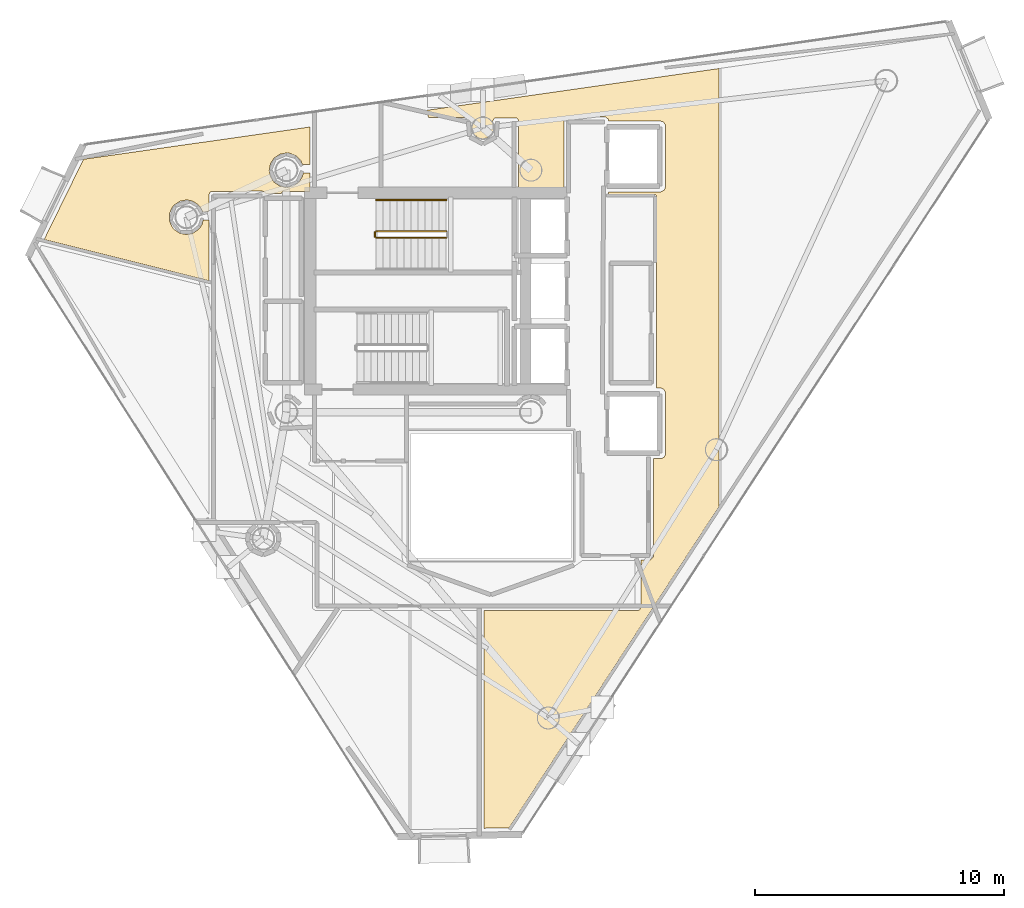
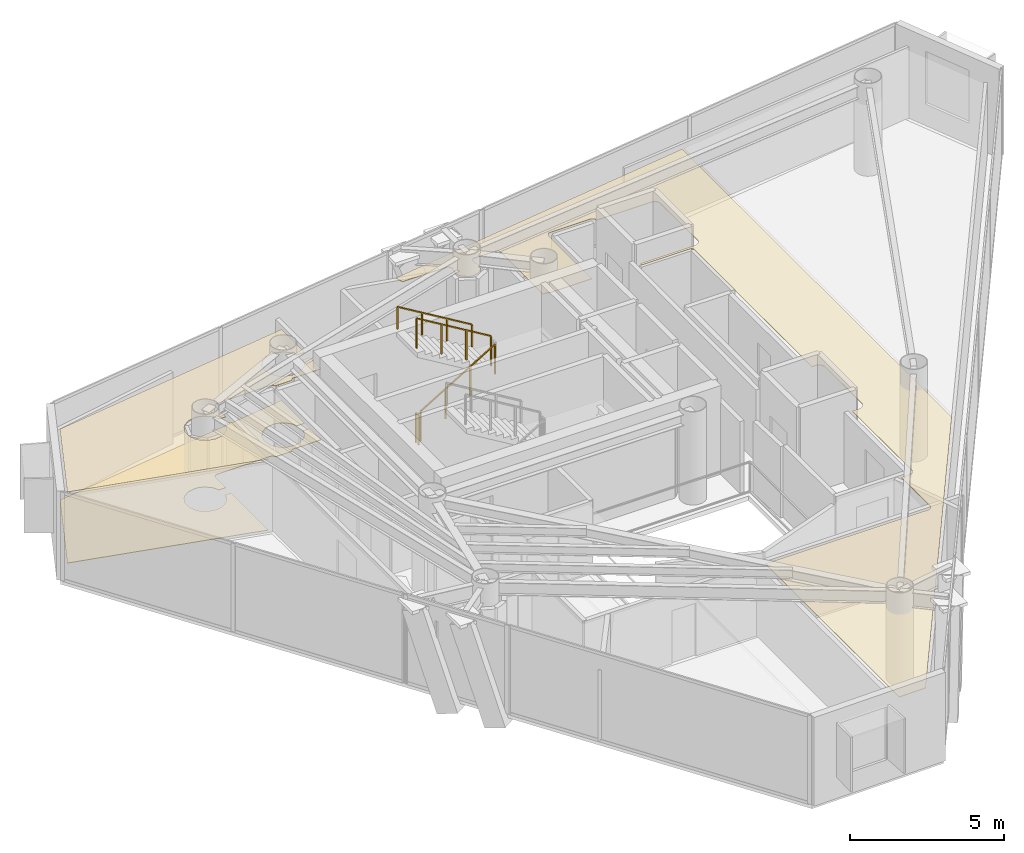
# One storey, part 24 of 25: 4 railings, 3 coverings.
"""IFC4 building model written with IfcOpenShell, lengths in metres."""

import ifcopenshell
import ifcopenshell.guid

model = None  # the IFC model being written
_history = None  # IfcOwnerHistory: only IFC2X3 demands one
_inside = {}  # id of a spatial element -> (the spatial element, [elements in it])
_under = {}  # id of a project, library or spatial element -> (it, [spatial elements below it])
_declared = {}  # id of a project -> (the project, [libraries it declares])
_typed = {}  # id of a type object -> (the type object, [elements of that type])
_made_of = {}  # id of a material, layer set ... -> (it, [elements and type objects made of it])


def new_model(schema):
    """Start an empty IFC model of exactly this schema.

    Asked for "IFC4X3", IfcOpenShell would pick the latest addendum, in which some entities
    have other attributes; the version numbers below select the first issue.
    IFC2X3 requires an IfcOwnerHistory on every rooted entity: one is made here for all.
    """
    global model, _history
    if schema == "IFC4X3":
        model = ifcopenshell.file(schema_version=(4, 3, 0, 0))
    else:
        model = ifcopenshell.file(schema=schema)
    _inside.clear()
    _under.clear()
    _declared.clear()
    _typed.clear()
    _made_of.clear()
    _history = None
    if model.schema == "IFC2X3":
        org = make("IfcOrganization", Name="unknown")
        user = make(
            "IfcPersonAndOrganization",
            ThePerson=make("IfcPerson", FamilyName="unknown"),
            TheOrganization=org,
        )
        app = make(
            "IfcApplication",
            ApplicationDeveloper=org,
            Version="unknown",
            ApplicationFullName="unknown",
            ApplicationIdentifier="unknown",
        )
        _history = make(
            "IfcOwnerHistory",
            OwningUser=user,
            OwningApplication=app,
            ChangeAction="ADDED",
            CreationDate=0,
        )
    return model


def make(cls, **values):
    """One entity of the class cls with the attributes given. An attribute that is None is left unset."""
    return model.create_entity(
        cls, **{name: value for name, value in values.items() if value is not None}
    )


def rooted(cls, **values):
    """An entity with a GlobalId (a new one), such as an element, a storey or a relation."""
    return make(cls, GlobalId=ifcopenshell.guid.new(), OwnerHistory=_history, **values)


def si_unit(unit_type, name, prefix=None):
    """IfcSIUnit, for example si_unit("LENGTHUNIT", "METRE", prefix="MILLI")."""
    return make("IfcSIUnit", UnitType=unit_type, Prefix=prefix, Name=name)


def assignment(units):
    """IfcUnitAssignment: the units of a project."""
    return None if units is None else make("IfcUnitAssignment", Units=units)


def point(xyz):
    """IfcCartesianPoint."""
    return None if xyz is None else make("IfcCartesianPoint", Coordinates=xyz)


def direction(xyz):
    """IfcDirection."""
    return None if xyz is None else make("IfcDirection", DirectionRatios=xyz)


def frame(location, z_axis=None, x_axis=None):
    """IfcAxis2Placement3D, a coordinate frame: its origin and axes. An axis left out is left unset."""
    return make(
        "IfcAxis2Placement3D",
        Location=point(location),
        Axis=direction(z_axis),
        RefDirection=direction(x_axis),
    )


def frame_2d(location, x_axis=None):
    """IfcAxis2Placement2D, a coordinate frame in the plane: its origin and x axis."""
    return make(
        "IfcAxis2Placement2D", Location=point(location), RefDirection=direction(x_axis)
    )


def origin():
    """The frame at (0, 0, 0) with its axes left unset."""
    return frame((0.0, 0.0, 0.0))


def origin_2d():
    """The frame at (0, 0) in the plane with its x axis left unset."""
    return frame_2d((0.0, 0.0))


def place(relative_to, where):
    """IfcLocalPlacement: puts the frame where relative to a parent placement (None: the world)."""
    return make(
        "IfcLocalPlacement", PlacementRelTo=relative_to, RelativePlacement=where
    )


def context(
    kind, dimensions, precision=None, world=None, true_north=None, identifier=None
):
    """IfcGeometricRepresentationContext, for example the 3D "Model" context."""
    return make(
        "IfcGeometricRepresentationContext",
        ContextIdentifier=identifier,
        ContextType=kind,
        CoordinateSpaceDimension=dimensions,
        Precision=precision,
        WorldCoordinateSystem=world,
        TrueNorth=true_north,
    )


def subcontext(parent, identifier, kind, view, scale=None):
    """IfcGeometricRepresentationSubContext, for example "Body" below "Model"."""
    return make(
        "IfcGeometricRepresentationSubContext",
        ContextIdentifier=identifier,
        ContextType=kind,
        ParentContext=parent,
        TargetScale=scale,
        TargetView=view,
    )


def project(units=None, contexts=None):
    """IfcProject with its units and contexts."""
    return rooted(
        "IfcProject",
        Name="project",
        RepresentationContexts=contexts,
        UnitsInContext=assignment(units),
    )


def spatial(cls, under=None, at=None, **own):
    """A site, building, storey or space (cls), placed at a placement, below another one or the project."""
    s = rooted(cls, ObjectPlacement=at, **own)
    if under is not None:
        _under.setdefault(under.id(), (under, []))[1].append(s)
    return s


def polyline(points):
    """IfcPolyline through the points."""
    return make("IfcPolyline", Points=[point(p) for p in points])


def profile(cls, at=None, kind="AREA", **sizes):
    """A parametric profile (cls). Its sizes go by their IFC names, for example OverallWidth=200.0."""
    return make(cls, ProfileType=kind, Position=at, **sizes)


def rectangle(**sizes):
    """IfcRectangleProfileDef."""
    return profile("IfcRectangleProfileDef", **sizes)


def outline(outer, holes=None, kind="AREA"):
    """IfcArbitraryClosedProfileDef: a profile drawn as a closed curve; with holes, ...WithVoids."""
    if holes is None:
        return make("IfcArbitraryClosedProfileDef", ProfileType=kind, OuterCurve=outer)
    return make(
        "IfcArbitraryProfileDefWithVoids",
        ProfileType=kind,
        OuterCurve=outer,
        InnerCurves=holes,
    )


def extrude(swept, where, along, depth):
    """IfcExtrudedAreaSolid: the profile swept, set in the frame where, extruded along a direction by depth."""
    return make(
        "IfcExtrudedAreaSolid",
        SweptArea=swept,
        Position=where,
        ExtrudedDirection=direction(along),
        Depth=depth,
    )


def shape(context_of_items, identifier, shape_type, items):
    """IfcShapeRepresentation: the items that make up one representation, for example the "Body"."""
    return make(
        "IfcShapeRepresentation",
        ContextOfItems=context_of_items,
        RepresentationIdentifier=identifier,
        RepresentationType=shape_type,
        Items=items,
    )


def material(Name=None, Category=None):
    """IfcMaterial."""
    return make("IfcMaterial", Name=Name, Category=Category)


def layer(
    of_material, thickness, ventilated=None, Name=None, Category=None, Priority=None
):
    """IfcMaterialLayer: one layer of a wall or slab, of a material (None: an air gap)."""
    return make(
        "IfcMaterialLayer",
        Material=of_material,
        LayerThickness=thickness,
        IsVentilated=ventilated,
        Name=Name,
        Category=Category,
        Priority=Priority,
    )


def layer_set(layers, Name=None):
    """IfcMaterialLayerSet."""
    return make("IfcMaterialLayerSet", MaterialLayers=layers, LayerSetName=Name)


def made_of(thing, what):
    """Note that an element or type object is made of a material, layer set ...; save() writes the relation."""
    if what is not None:
        _made_of.setdefault(what.id(), (what, []))[1].append(thing)
    return thing


def type_object(cls, material=None, **own):
    """A type object (cls), such as IfcWallType, which elements share."""
    return made_of(rooted(cls, **own), material)


def element(
    cls,
    number,
    at=None,
    inside=None,
    cuts=None,
    type_object=None,
    material=None,
    context=None,
    identifier="Body",
    shape_type=None,
    held_by="IfcProductDefinitionShape",
    body=None,
    shapes=None,
    **own,
):
    """One element of the class cls, such as IfcWall. Its Tag is "e" and its number.

    at: its placement. inside: the storey or other place that contains it. cuts: it is an
    opening in that element (IfcRelVoidsElement). A single representation is given by context,
    identifier, shape_type and body (its items); several are given by shapes. held_by: the class
    of the entity that holds the representations. save() writes the other relations.
    """
    e = rooted(cls, Tag="e%d" % number, ObjectPlacement=at, **own)
    if body is not None:
        shapes = [shape(context, identifier, shape_type, body)]
    if shapes is not None:
        e.Representation = make(held_by, Representations=shapes)
    if inside is not None:
        _inside.setdefault(inside.id(), (inside, []))[1].append(e)
    if cuts is not None:
        rooted(
            "IfcRelVoidsElement", RelatingBuildingElement=cuts, RelatedOpeningElement=e
        )
    if type_object is not None:
        _typed.setdefault(type_object.id(), (type_object, []))[1].append(e)
    return made_of(e, material)


def aggregate(whole, parts):
    """IfcRelAggregates: a whole, such as a stair, and the parts it consists of."""
    return rooted("IfcRelAggregates", RelatingObject=whole, RelatedObjects=parts)


def save(model, path):
    """Write the relations noted so far, then the file.

    IfcRelAggregates (storeys below a building ...), IfcRelContainedInSpatialStructure (elements
    in a storey), IfcRelDefinesByType, IfcRelAssociatesMaterial and IfcRelDeclares: one each for
    every whole, place, type object, material and project.
    """
    for whole, parts in _under.values():
        aggregate(whole, parts)
    for where, things in _inside.values():
        rooted(
            "IfcRelContainedInSpatialStructure",
            RelatedElements=things,
            RelatingStructure=where,
        )
    for kind, things in _typed.values():
        rooted("IfcRelDefinesByType", RelatedObjects=things, RelatingType=kind)
    for what, things in _made_of.values():
        rooted("IfcRelAssociatesMaterial", RelatedObjects=things, RelatingMaterial=what)
    for by, libraries in _declared.values():
        rooted("IfcRelDeclares", RelatingContext=by, RelatedDefinitions=libraries)
    model.write(path)


model = new_model("IFC4")

# Units and contexts
model_context = context("Model", 3, precision=1e-05, world=origin(), true_north=direction((0.0, 1.0)))
body_context = subcontext(model_context, "Body", "Model", "MODEL_VIEW")
ifc_project = project(units=[si_unit("LENGTHUNIT", "METRE"), si_unit("AREAUNIT", "SQUARE_METRE"), si_unit("VOLUMEUNIT", "CUBIC_METRE"), si_unit("PLANEANGLEUNIT", "RADIAN"), si_unit("MASSUNIT", "GRAM", prefix="KILO")], contexts=[model_context])

# Site, building, storey
site_placement = place(None, origin())
site = spatial("IfcSite", under=ifc_project, at=site_placement, CompositionType="ELEMENT")
building_placement = place(site_placement, origin())
building = spatial("IfcBuilding", under=site, at=building_placement, Name="Qianvela Tower", CompositionType="ELEMENT")
storey_placement = place(building_placement, frame((0.0, 0.0, 288.0)))
storey = spatial("IfcBuildingStorey", under=building, at=storey_placement, Name="L74", CompositionType="ELEMENT", Elevation=288.0)

# Coverings
ifc_material_1 = material(Name="Perforated Mineral Acoustic Ceiling Tile")
ifc_layer_1 = layer(ifc_material_1, 0.02490234375)
ifc_layer_set_1 = layer_set([ifc_layer_1], Name="Perforated Mineral Acoustic Ceiling Tile")
covering_type_1 = type_object("IfcCoveringType", Name="COV-CEIL-ACOUSTIC-25", PredefinedType="CEILING", material=ifc_layer_set_1)
covering_1_placement = place(storey_placement, frame((0.0, 0.0, 2.81494140625)))
element("IfcCovering", 1, at=covering_1_placement, inside=storey, type_object=covering_type_1, Name="L74 Acoustic Ceiling Bay 1 Campus Convenience Shop L74-03", PredefinedType="CEILING", context=body_context, shape_type="SweptSolid", body=[
    extrude(outline(polyline([(42.744384765625, 15.9228515625), (42.7509765625, 15.927001953125), (42.75732421875, 15.931640625), (42.76318359375, 15.93701171875), (42.768310546875, 15.942626953125), (42.773193359375, 15.948974609375), (42.777099609375, 15.955810546875), (42.780517578125, 15.962890625), (42.803955078125, 16.019287109375), (42.806640625, 16.02685546875), (42.80859375, 16.034423828125), (42.8095703125, 16.042236328125), (42.81005859375, 16.050048828125), (42.8076171875, 17.920166015625), (43.157958984375, 17.92041015625), (43.165771484375, 17.9208984375), (43.173583984375, 17.921875), (43.18115234375, 17.923828125), (43.1884765625, 17.926513671875), (43.195556640625, 17.9296875), (43.202392578125, 17.933837890625), (43.20849609375, 17.938720703125), (43.21435546875, 17.94384765625), (43.2861328125, 18.015625), (43.29150390625, 18.021484375), (43.296142578125, 18.027587890625), (43.30029296875, 18.034423828125), (43.303466796875, 18.04150390625), (43.30615234375, 18.048828125), (43.30810546875, 18.056640625), (43.30908203125, 18.064208984375), (43.3095703125, 18.072265625), (43.309326171875, 21.980712890625), (43.60791015625, 21.982666015625), (43.615478515625, 21.983154296875), (43.623291015625, 21.984375), (43.630859375, 21.986083984375), (43.637939453125, 21.98876953125), (43.64501953125, 21.9921875), (43.716796875, 22.030517578125), (43.723388671875, 22.034423828125), (43.729736328125, 22.039306640625), (43.735595703125, 22.04443359375), (43.74072265625, 22.05029296875), (43.74560546875, 22.056640625), (43.74951171875, 22.063232421875), (43.787841796875, 22.135009765625), (43.791259765625, 22.14208984375), (43.7939453125, 22.1494140625), (43.7958984375, 22.156982421875), (43.796875, 22.164794921875), (43.79736328125, 22.172607421875), (43.79931640625, 24.61376953125), (43.799072265625, 24.62060546875), (43.798095703125, 24.627685546875), (43.79638671875, 24.634765625), (43.79443359375, 24.641357421875), (43.79150390625, 24.64794921875), (43.751220703125, 24.733154296875), (43.74755859375, 24.739990234375), (43.743408203125, 24.74658203125), (43.73828125, 24.752685546875), (43.732666015625, 24.75830078125), (43.726806640625, 24.76318359375), (43.72021484375, 24.767578125), (43.713134765625, 24.771240234375), (43.6279296875, 24.8115234375), (43.619873046875, 24.81494140625), (43.611328125, 24.8173828125), (43.6025390625, 24.81884765625), (43.59375, 24.8193359375), (43.423828125, 24.8193359375), (43.423828125, 24.8193359375), (43.426513671875, 24.826904296875), (43.428466796875, 24.83447265625), (43.4296875, 24.84228515625), (43.429931640625, 24.85009765625), (43.429931640625, 32.5), (43.4296875, 32.5078125), (43.428466796875, 32.515625), (43.426513671875, 32.523193359375), (43.423828125, 32.530517578125), (43.420654296875, 32.53759765625), (43.41650390625, 32.54443359375), (43.411865234375, 32.55078125), (43.406494140625, 32.556640625), (43.40087890625, 32.561767578125), (43.394287109375, 32.56640625), (43.3876953125, 32.570556640625), (43.380615234375, 32.573974609375), (43.373291015625, 32.57666015625), (43.365478515625, 32.57861328125), (43.35791015625, 32.57958984375), (43.35009765625, 32.580078125), (41.52001953125, 32.580078125), (41.52001953125, 32.679931640625), (43.580078125, 32.679931640625), (43.587158203125, 32.680419921875), (43.593994140625, 32.68115234375), (43.60107421875, 32.682861328125), (43.607666015625, 32.684814453125), (43.6142578125, 32.687744140625), (43.722412109375, 32.739013671875), (43.729248046875, 32.74267578125), (43.73583984375, 32.746826171875), (43.741943359375, 32.751953125), (43.74755859375, 32.757568359375), (43.75244140625, 32.763427734375), (43.7568359375, 32.77001953125), (43.760498046875, 32.777099609375), (43.763427734375, 32.7841796875), (43.79541015625, 32.873046875), (43.79736328125, 32.879638671875), (43.798828125, 32.886474609375), (43.7998046875, 32.893310546875), (43.800048828125, 32.900390625), (43.789306640625, 35.35400390625), (43.788818359375, 35.36181640625), (43.787841796875, 35.369384765625), (43.785888671875, 35.376953125), (43.783203125, 35.38427734375), (43.77978515625, 35.391357421875), (43.77587890625, 35.398193359375), (43.771240234375, 35.404296875), (43.719482421875, 35.46728515625), (43.71435546875, 35.472900390625), (43.70849609375, 35.478271484375), (43.7021484375, 35.48291015625), (43.695556640625, 35.487060546875), (43.6884765625, 35.490234375), (43.680908203125, 35.492919921875), (43.603271484375, 35.5166015625), (43.595703125, 35.5185546875), (43.587890625, 35.51953125), (43.580078125, 35.52001953125), (41.515625, 35.52001953125), (41.513916015625, 35.554931640625), (41.512939453125, 35.562744140625), (41.511474609375, 35.5703125), (41.509033203125, 35.577880859375), (41.506103515625, 35.585205078125), (41.50244140625, 35.591796875), (41.498046875, 35.598388671875), (41.4931640625, 35.6044921875), (41.487548828125, 35.60986328125), (41.481689453125, 35.614990234375), (41.41552734375, 35.663818359375), (41.409423828125, 35.66796875), (41.40283203125, 35.67138671875), (41.396240234375, 35.67431640625), (41.38916015625, 35.6767578125), (41.382080078125, 35.67822265625), (41.374755859375, 35.67919921875), (41.367431640625, 35.6796875), (39.841796875, 35.670654296875), (39.83349609375, 35.670166015625), (39.825439453125, 35.668701171875), (39.817626953125, 35.666748046875), (39.81005859375, 35.663818359375), (39.802490234375, 35.659912109375), (39.795654296875, 35.655517578125), (39.789306640625, 35.650390625), (39.783447265625, 35.644775390625), (39.7783203125, 35.638427734375), (39.773681640625, 35.631591796875), (39.7314453125, 35.56103515625), (39.727294921875, 35.553466796875), (39.72412109375, 35.54541015625), (39.721923828125, 35.537109375), (39.720458984375, 35.528564453125), (39.719970703125, 35.52001953125), (39.719970703125, 32.719970703125), (38.129150390625, 32.719970703125), (38.068115234375, 32.756103515625), (38.060791015625, 32.760009765625), (38.052978515625, 32.76318359375), (38.044921875, 32.765380859375), (38.03662109375, 32.766845703125), (38.0283203125, 32.767333984375), (37.907470703125, 32.768798828125), (37.909912109375, 35.5), (37.90966796875, 35.507080078125), (37.90869140625, 35.513916015625), (37.9072265625, 35.52099609375), (37.905029296875, 35.527587890625), (37.90234375, 35.5341796875), (37.873046875, 35.595947265625), (37.869140625, 35.603271484375), (37.864501953125, 35.610107421875), (37.859375, 35.6162109375), (37.853515625, 35.6220703125), (37.84716796875, 35.626953125), (37.840087890625, 35.63134765625), (37.8330078125, 35.635009765625), (37.8251953125, 35.637939453125), (37.8173828125, 35.64013671875), (37.809326171875, 35.641357421875), (37.80126953125, 35.641845703125), (36.982421875, 35.64599609375), (36.974365234375, 35.645751953125), (36.96630859375, 35.64453125), (36.95849609375, 35.642578125), (36.950927734375, 35.639892578125), (36.94384765625, 35.636474609375), (36.93701171875, 35.63232421875), (36.930419921875, 35.62744140625), (36.9248046875, 35.6220703125), (36.919189453125, 35.615966796875), (36.914794921875, 35.609619140625), (36.91064453125, 35.6025390625), (36.875732421875, 35.5341796875), (36.87255859375, 35.527099609375), (36.8701171875, 35.51953125), (36.8681640625, 35.511962890625), (36.8671875, 35.504150390625), (36.866943359375, 35.49609375), (36.86767578125, 35.48828125), (36.868896484375, 35.48046875), (36.92431640625, 35.23291015625), (36.91748046875, 35.163330078125), (36.84765625, 34.99462890625), (36.72705078125, 34.874267578125), (36.4755859375, 34.796142578125), (36.305419921875, 34.830078125), (36.10302734375, 34.998291015625), (36.03466796875, 35.163330078125), (36.02783203125, 35.23291015625), (36.0830078125, 35.48046875), (36.08447265625, 35.48779296875), (36.0849609375, 35.4951171875), (36.0849609375, 35.502685546875), (36.083984375, 35.510009765625), (36.08251953125, 35.517333984375), (36.08056640625, 35.5244140625), (36.07763671875, 35.53125), (36.07421875, 35.537841796875), (36.03271484375, 35.610107421875), (36.028564453125, 35.61669921875), (36.02392578125, 35.62255859375), (36.0185546875, 35.6279296875), (36.012939453125, 35.633056640625), (36.0068359375, 35.637451171875), (36.000244140625, 35.64111328125), (35.993408203125, 35.644287109375), (35.986083984375, 35.64697265625), (35.978759765625, 35.648681640625), (35.97119140625, 35.64990234375), (35.9638671875, 35.650146484375), (34.30078125, 35.65966796875), (34.208740234375, 35.94921875), (45.9453125, 37.625244140625), (45.9453125, 20.068359375), (37.52587890625, 7.18603515625), (36.52294921875, 7.166748046875), (36.52294921875, 15.889892578125), (42.64990234375, 15.889892578125), (42.65771484375, 15.890380859375), (42.66552734375, 15.8916015625), (42.673095703125, 15.893310546875), (42.6806640625, 15.89599609375), (42.7373046875, 15.91943359375), (42.744384765625, 15.9228515625)])), origin(), (0.0, 0.0, 1.0), 0.025146484375),
])
covering_2_placement = place(storey_placement, frame((0.0, 0.0, 2.81494140625)))
element("IfcCovering", 2, at=covering_2_placement, inside=storey, type_object=covering_type_1, Name="L74 Acoustic Ceiling Student Bookshop Market L74-04", PredefinedType="CEILING", context=body_context, shape_type="SweptSolid", body=[
    extrude(outline(polyline([(29.5400390625, 32.699951171875), (28.47998046875, 32.699951171875), (28.47216796875, 32.69970703125), (28.464111328125, 32.698486328125), (28.45654296875, 32.696533203125), (28.44921875, 32.69384765625), (28.44189453125, 32.690185546875), (28.43505859375, 32.686279296875), (28.4287109375, 32.681396484375), (28.4228515625, 32.676025390625), (28.417724609375, 32.670166015625), (28.4130859375, 32.663818359375), (28.408935546875, 32.656982421875), (28.40576171875, 32.649658203125), (28.403076171875, 32.64208984375), (28.4013671875, 32.634521484375), (28.400390625, 32.62646484375), (28.39892578125, 32.609619140625), (27.7626953125, 32.607666015625), (27.759521484375, 32.6201171875), (27.757080078125, 32.62744140625), (27.754150390625, 32.634765625), (27.75048828125, 32.6416015625), (27.74609375, 32.648193359375), (27.7412109375, 32.654296875), (27.735595703125, 32.659912109375), (27.7294921875, 32.6650390625), (27.722900390625, 32.66943359375), (27.716064453125, 32.673095703125), (27.654296875, 32.702392578125), (27.647705078125, 32.705078125), (27.640625, 32.707275390625), (27.633544921875, 32.708740234375), (27.62646484375, 32.709716796875), (27.619384765625, 32.7099609375), (25.598388671875, 32.69189453125), (25.59033203125, 32.69140625), (25.58251953125, 32.68994140625), (25.574462890625, 32.68798828125), (25.56689453125, 32.68505859375), (25.5595703125, 32.681396484375), (25.552734375, 32.677001953125), (25.54638671875, 32.671875), (25.54052734375, 32.666259765625), (25.535400390625, 32.659912109375), (25.53076171875, 32.6533203125), (25.52685546875, 32.64599609375), (25.497802734375, 32.584228515625), (25.494384765625, 32.575927734375), (25.491943359375, 32.5673828125), (25.490478515625, 32.558837890625), (25.489990234375, 32.550048828125), (25.489990234375, 31.894775390625), (25.22802734375, 31.89404296875), (25.16748046875, 32.03369140625), (25.164306640625, 32.040283203125), (25.160400390625, 32.046630859375), (25.156005859375, 32.052490234375), (25.080078125, 32.14501953125), (25.074951171875, 32.15087890625), (25.069091796875, 32.15625), (25.062744140625, 32.160888671875), (24.864990234375, 32.293212890625), (24.858154296875, 32.297119140625), (24.85107421875, 32.300537109375), (24.84375, 32.302978515625), (24.729248046875, 32.337890625), (24.7216796875, 32.339599609375), (24.7138671875, 32.3408203125), (24.5947265625, 32.3525390625), (24.5869140625, 32.35302734375), (24.5791015625, 32.3525390625), (24.5712890625, 32.3515625), (24.337890625, 32.304931640625), (24.330322265625, 32.302978515625), (24.322998046875, 32.300537109375), (24.31591796875, 32.297119140625), (24.30908203125, 32.293212890625), (24.111083984375, 32.160888671875), (24.10498046875, 32.15625), (24.09912109375, 32.15087890625), (24.09375, 32.14501953125), (24.01806640625, 32.052490234375), (24.01318359375, 32.04638671875), (24.00927734375, 32.03955078125), (24.005859375, 32.032470703125), (23.914794921875, 31.8125), (23.912109375, 31.80517578125), (23.910400390625, 31.797607421875), (23.9091796875, 31.789794921875), (23.90869140625, 31.781982421875), (23.90869140625, 31.5439453125), (23.9091796875, 31.5361328125), (23.910400390625, 31.5283203125), (23.912109375, 31.520751953125), (23.914794921875, 31.513427734375), (24.005859375, 31.29345703125), (24.00927734375, 31.286376953125), (24.01318359375, 31.27978515625), (24.01806640625, 31.2734375), (24.09375, 31.180908203125), (24.09912109375, 31.175048828125), (24.10498046875, 31.169921875), (24.111083984375, 31.1650390625), (24.30908203125, 31.032958984375), (24.31591796875, 31.02880859375), (24.322998046875, 31.025390625), (24.330322265625, 31.02294921875), (24.337890625, 31.02099609375), (24.5712890625, 30.974609375), (24.5791015625, 30.973388671875), (24.5869140625, 30.972900390625), (24.5947265625, 30.973388671875), (24.6025390625, 30.974609375), (24.8359375, 31.02099609375), (24.84375, 31.02294921875), (24.85107421875, 31.025390625), (24.858154296875, 31.02880859375), (24.864990234375, 31.032958984375), (25.062744140625, 31.1650390625), (25.069091796875, 31.169921875), (25.074951171875, 31.175048828125), (25.080078125, 31.180908203125), (25.156005859375, 31.2734375), (25.16064453125, 31.27978515625), (25.164794921875, 31.286376953125), (25.22119140625, 31.391845703125), (25.224365234375, 31.398681640625), (25.226806640625, 31.405517578125), (25.228759765625, 31.412841796875), (25.2587890625, 31.55419921875), (25.489990234375, 31.5546875), (25.489990234375, 29.1201171875), (18.885498046875, 30.766845703125), (20.465087890625, 33.986572265625), (29.5400390625, 35.282470703125), (29.5400390625, 33.781982421875), (29.2412109375, 33.781005859375), (29.1806640625, 33.920654296875), (29.17724609375, 33.927490234375), (29.17333984375, 33.933837890625), (29.168701171875, 33.93994140625), (29.163818359375, 33.945556640625), (28.99560546875, 34.11376953125), (28.989501953125, 34.118896484375), (28.9833984375, 34.123779296875), (28.9765625, 34.127685546875), (28.969482421875, 34.131103515625), (28.74951171875, 34.22216796875), (28.7421875, 34.224853515625), (28.734619140625, 34.226806640625), (28.726806640625, 34.227783203125), (28.60791015625, 34.239501953125), (28.60009765625, 34.239990234375), (28.59228515625, 34.239501953125), (28.58447265625, 34.238525390625), (28.35107421875, 34.19189453125), (28.34326171875, 34.190185546875), (28.3359375, 34.1875), (28.328857421875, 34.18408203125), (28.322021484375, 34.18017578125), (28.124267578125, 34.0478515625), (28.117919921875, 34.043212890625), (28.112060546875, 34.037841796875), (28.106689453125, 34.031982421875), (28.10205078125, 34.02587890625), (27.969970703125, 33.827880859375), (27.9658203125, 33.821044921875), (27.96240234375, 33.814208984375), (27.9599609375, 33.806640625), (27.9580078125, 33.799072265625), (27.91162109375, 33.565673828125), (27.910400390625, 33.557861328125), (27.909912109375, 33.550048828125), (27.910400390625, 33.542236328125), (27.91162109375, 33.534423828125), (27.9580078125, 33.301025390625), (27.9599609375, 33.293212890625), (27.96240234375, 33.285888671875), (27.9658203125, 33.27880859375), (27.969970703125, 33.272216796875), (28.10205078125, 33.07421875), (28.106689453125, 33.06787109375), (28.112060546875, 33.06201171875), (28.117919921875, 33.056884765625), (28.124267578125, 33.052001953125), (28.322021484375, 32.919921875), (28.328857421875, 32.916015625), (28.3359375, 32.91259765625), (28.34326171875, 32.909912109375), (28.35107421875, 32.907958984375), (28.58447265625, 32.861572265625), (28.59228515625, 32.8603515625), (28.60009765625, 32.860107421875), (28.60791015625, 32.8603515625), (28.615478515625, 32.861572265625), (28.84912109375, 32.907958984375), (28.856689453125, 32.909912109375), (28.864013671875, 32.91259765625), (28.87109375, 32.916015625), (28.8779296875, 32.919921875), (29.07568359375, 33.052001953125), (29.08203125, 33.056884765625), (29.087890625, 33.06201171875), (29.09326171875, 33.06787109375), (29.097900390625, 33.07421875), (29.22998046875, 33.272216796875), (29.23388671875, 33.278564453125), (29.2373046875, 33.285400390625), (29.239990234375, 33.29248046875), (29.24169921875, 33.2998046875), (29.27197265625, 33.441162109375), (29.5400390625, 33.44189453125), (29.5400390625, 32.699951171875)])), origin(), (0.0, 0.0, 1.0), 0.025146484375),
])
ifc_material_2 = material(Name="Engineered Acoustic Oak Timber Flooring", Category="wood")
ifc_layer_2 = layer(ifc_material_2, 0.02001953125)
ifc_layer_set_2 = layer_set([ifc_layer_2], Name="Engineered Acoustic Oak Timber Flooring")
covering_type_2 = type_object("IfcCoveringType", Name="COV-FLOOR-OAK-20", PredefinedType="FLOORING", material=ifc_layer_set_2)
covering_3_placement = place(storey_placement, origin())
element("IfcCovering", 3, at=covering_3_placement, inside=storey, type_object=covering_type_2, Name="L74 Finish Flooring Student Bookshop Market L74-04", PredefinedType="FLOORING", context=body_context, shape_type="SweptSolid", body=[
    extrude(outline(polyline([(29.5400390625, 32.699951171875), (28.47998046875, 32.699951171875), (28.47216796875, 32.69970703125), (28.464111328125, 32.698486328125), (28.45654296875, 32.696533203125), (28.44921875, 32.69384765625), (28.44189453125, 32.690185546875), (28.43505859375, 32.686279296875), (28.4287109375, 32.681396484375), (28.4228515625, 32.676025390625), (28.417724609375, 32.670166015625), (28.4130859375, 32.663818359375), (28.408935546875, 32.656982421875), (28.40576171875, 32.649658203125), (28.403076171875, 32.64208984375), (28.4013671875, 32.634521484375), (28.400390625, 32.62646484375), (28.39892578125, 32.609619140625), (27.7626953125, 32.607666015625), (27.759521484375, 32.6201171875), (27.757080078125, 32.62744140625), (27.754150390625, 32.634765625), (27.75048828125, 32.6416015625), (27.74609375, 32.648193359375), (27.7412109375, 32.654296875), (27.735595703125, 32.659912109375), (27.7294921875, 32.6650390625), (27.722900390625, 32.66943359375), (27.716064453125, 32.673095703125), (27.654296875, 32.702392578125), (27.647705078125, 32.705078125), (27.640625, 32.707275390625), (27.633544921875, 32.708740234375), (27.62646484375, 32.709716796875), (27.619384765625, 32.7099609375), (25.598388671875, 32.69189453125), (25.59033203125, 32.69140625), (25.58251953125, 32.68994140625), (25.574462890625, 32.68798828125), (25.56689453125, 32.68505859375), (25.5595703125, 32.681396484375), (25.552734375, 32.677001953125), (25.54638671875, 32.671875), (25.54052734375, 32.666259765625), (25.535400390625, 32.659912109375), (25.53076171875, 32.6533203125), (25.52685546875, 32.64599609375), (25.497802734375, 32.584228515625), (25.494384765625, 32.575927734375), (25.491943359375, 32.5673828125), (25.490478515625, 32.558837890625), (25.489990234375, 32.550048828125), (25.489990234375, 31.894775390625), (25.22802734375, 31.89404296875), (25.16748046875, 32.03369140625), (25.164306640625, 32.040283203125), (25.160400390625, 32.046630859375), (25.156005859375, 32.052490234375), (25.080078125, 32.14501953125), (25.074951171875, 32.15087890625), (25.069091796875, 32.15625), (25.062744140625, 32.160888671875), (24.864990234375, 32.293212890625), (24.858154296875, 32.297119140625), (24.85107421875, 32.300537109375), (24.84375, 32.302978515625), (24.729248046875, 32.337890625), (24.7216796875, 32.339599609375), (24.7138671875, 32.3408203125), (24.5947265625, 32.3525390625), (24.5869140625, 32.35302734375), (24.5791015625, 32.3525390625), (24.5712890625, 32.3515625), (24.337890625, 32.304931640625), (24.330322265625, 32.302978515625), (24.322998046875, 32.300537109375), (24.31591796875, 32.297119140625), (24.30908203125, 32.293212890625), (24.111083984375, 32.160888671875), (24.10498046875, 32.15625), (24.09912109375, 32.15087890625), (24.09375, 32.14501953125), (24.01806640625, 32.052490234375), (24.01318359375, 32.04638671875), (24.00927734375, 32.03955078125), (24.005859375, 32.032470703125), (23.914794921875, 31.8125), (23.912109375, 31.80517578125), (23.910400390625, 31.797607421875), (23.9091796875, 31.789794921875), (23.90869140625, 31.781982421875), (23.90869140625, 31.5439453125), (23.9091796875, 31.5361328125), (23.910400390625, 31.5283203125), (23.912109375, 31.520751953125), (23.914794921875, 31.513427734375), (24.005859375, 31.29345703125), (24.00927734375, 31.286376953125), (24.01318359375, 31.27978515625), (24.01806640625, 31.2734375), (24.09375, 31.180908203125), (24.09912109375, 31.175048828125), (24.10498046875, 31.169921875), (24.111083984375, 31.1650390625), (24.30908203125, 31.032958984375), (24.31591796875, 31.02880859375), (24.322998046875, 31.025390625), (24.330322265625, 31.02294921875), (24.337890625, 31.02099609375), (24.5712890625, 30.974609375), (24.5791015625, 30.973388671875), (24.5869140625, 30.972900390625), (24.5947265625, 30.973388671875), (24.6025390625, 30.974609375), (24.8359375, 31.02099609375), (24.84375, 31.02294921875), (24.85107421875, 31.025390625), (24.858154296875, 31.02880859375), (24.864990234375, 31.032958984375), (25.062744140625, 31.1650390625), (25.069091796875, 31.169921875), (25.074951171875, 31.175048828125), (25.080078125, 31.180908203125), (25.156005859375, 31.2734375), (25.16064453125, 31.27978515625), (25.164794921875, 31.286376953125), (25.22119140625, 31.391845703125), (25.224365234375, 31.398681640625), (25.226806640625, 31.405517578125), (25.228759765625, 31.412841796875), (25.2587890625, 31.55419921875), (25.489990234375, 31.5546875), (25.489990234375, 29.1201171875), (18.885498046875, 30.766845703125), (20.465087890625, 33.986572265625), (29.5400390625, 35.282470703125), (29.5400390625, 33.781982421875), (29.2412109375, 33.781005859375), (29.1806640625, 33.920654296875), (29.17724609375, 33.927490234375), (29.17333984375, 33.933837890625), (29.168701171875, 33.93994140625), (29.163818359375, 33.945556640625), (28.99560546875, 34.11376953125), (28.989501953125, 34.118896484375), (28.9833984375, 34.123779296875), (28.9765625, 34.127685546875), (28.969482421875, 34.131103515625), (28.74951171875, 34.22216796875), (28.7421875, 34.224853515625), (28.734619140625, 34.226806640625), (28.726806640625, 34.227783203125), (28.60791015625, 34.239501953125), (28.60009765625, 34.239990234375), (28.59228515625, 34.239501953125), (28.58447265625, 34.238525390625), (28.35107421875, 34.19189453125), (28.34326171875, 34.190185546875), (28.3359375, 34.1875), (28.328857421875, 34.18408203125), (28.322021484375, 34.18017578125), (28.124267578125, 34.0478515625), (28.117919921875, 34.043212890625), (28.112060546875, 34.037841796875), (28.106689453125, 34.031982421875), (28.10205078125, 34.02587890625), (27.969970703125, 33.827880859375), (27.9658203125, 33.821044921875), (27.96240234375, 33.814208984375), (27.9599609375, 33.806640625), (27.9580078125, 33.799072265625), (27.91162109375, 33.565673828125), (27.910400390625, 33.557861328125), (27.909912109375, 33.550048828125), (27.910400390625, 33.542236328125), (27.91162109375, 33.534423828125), (27.9580078125, 33.301025390625), (27.9599609375, 33.293212890625), (27.96240234375, 33.285888671875), (27.9658203125, 33.27880859375), (27.969970703125, 33.272216796875), (28.10205078125, 33.07421875), (28.106689453125, 33.06787109375), (28.112060546875, 33.06201171875), (28.117919921875, 33.056884765625), (28.124267578125, 33.052001953125), (28.322021484375, 32.919921875), (28.328857421875, 32.916015625), (28.3359375, 32.91259765625), (28.34326171875, 32.909912109375), (28.35107421875, 32.907958984375), (28.58447265625, 32.861572265625), (28.59228515625, 32.8603515625), (28.60009765625, 32.860107421875), (28.60791015625, 32.8603515625), (28.615478515625, 32.861572265625), (28.84912109375, 32.907958984375), (28.856689453125, 32.909912109375), (28.864013671875, 32.91259765625), (28.87109375, 32.916015625), (28.8779296875, 32.919921875), (29.07568359375, 33.052001953125), (29.08203125, 33.056884765625), (29.087890625, 33.06201171875), (29.09326171875, 33.06787109375), (29.097900390625, 33.07421875), (29.22998046875, 33.272216796875), (29.23388671875, 33.278564453125), (29.2373046875, 33.285400390625), (29.239990234375, 33.29248046875), (29.24169921875, 33.2998046875), (29.27197265625, 33.441162109375), (29.5400390625, 33.44189453125), (29.5400390625, 32.699951171875)])), origin(), (0.0, 0.0, 1.0), 0.02001953125),
])

# Railings
ifc_material_3 = material(Name="Painted Tubular Steel Q355B", Category="steel")
railing_type_1 = type_object("IfcRailingType", Name="RL-STAIR-GUARD-1200", PredefinedType="GUARDRAIL", material=ifc_material_3)
railing_1_placement = place(storey_placement, frame((32.199951171875, 30.840087890625, 0.168212890625)))
element("IfcRailing", 4, at=railing_1_placement, inside=storey, type_object=railing_type_1, Name="L74 ST-1 stair guard 1", PredefinedType="GUARDRAIL", context=body_context, shape_type="SweptSolid", body=[
    extrude(rectangle(XDim=0.050048828125, YDim=0.0400390625, at=origin_2d()), frame((0.0, 0.0, 1.179931640625), z_axis=(0.857242210791, 0.0, 0.514913383045), x_axis=(0.0, 1.0, 0.0)), (0.0, 0.0, 1.0), 3.266357421875),
    extrude(rectangle(XDim=0.050048828125, YDim=0.050048828125, at=origin_2d()), origin(), (0.0, 0.0, 1.0), 1.159912109375),
    extrude(rectangle(XDim=0.050048828125, YDim=0.050048828125, at=origin_2d()), frame((0.933349609375, 0.0, 0.560546875)), (0.0, 0.0, 1.0), 1.159912109375),
    extrude(rectangle(XDim=0.050048828125, YDim=0.050048828125, at=origin_2d()), frame((1.86669921875, 0.0, 1.121337890625)), (0.0, 0.0, 1.0), 1.159912109375),
    extrude(rectangle(XDim=0.050048828125, YDim=0.050048828125, at=origin_2d()), frame((2.800048828125, 0.0, 1.681884765625)), (0.0, 0.0, 1.0), 1.159912109375),
])
railing_2_placement = place(storey_placement, frame((35.0, 31.10009765625, 2.01806640625)))
element("IfcRailing", 5, at=railing_2_placement, inside=storey, type_object=railing_type_1, Name="L74 ST-1 stair guard 3", PredefinedType="GUARDRAIL", context=body_context, shape_type="SweptSolid", body=[
    extrude(rectangle(XDim=0.050048828125, YDim=0.0400390625, at=origin_2d()), frame((0.0, 0.0, 1.179931640625), z_axis=(-0.857242210791, 0.0, 0.514913383045), x_axis=(0.0, -1.0, 0.0)), (0.0, 0.0, 1.0), 3.266357421875),
    extrude(rectangle(XDim=0.050048828125, YDim=0.050048828125, at=origin_2d()), origin(), (0.0, 0.0, 1.0), 1.159912109375),
    extrude(rectangle(XDim=0.050048828125, YDim=0.050048828125, at=origin_2d()), frame((-0.933349609375, 0.0, 0.560546875)), (0.0, 0.0, 1.0), 1.159912109375),
    extrude(rectangle(XDim=0.050048828125, YDim=0.050048828125, at=origin_2d()), frame((-1.86669921875, 0.0, 1.121337890625)), (0.0, 0.0, 1.0), 1.159912109375),
    extrude(rectangle(XDim=0.050048828125, YDim=0.050048828125, at=origin_2d()), frame((-2.800048828125, 0.0, 1.681884765625)), (0.0, 0.0, 1.0), 1.159912109375),
])
railing_3_placement = place(storey_placement, frame((32.14990234375, 30.889892578125, 0.0)))
element("IfcRailing", 6, at=railing_3_placement, inside=storey, type_object=railing_type_1, Name="L74 ST-1 stair guard 4", PredefinedType="GUARDRAIL", context=body_context, shape_type="SweptSolid", body=[
    extrude(rectangle(XDim=0.050048828125, YDim=0.0400390625, at=origin_2d()), frame((0.0, 0.0, 1.179931640625), z_axis=(0.0, 1.0, 0.0), x_axis=(-1.0, 0.0, 0.0)), (0.0, 0.0, 1.0), 0.16015625),
    extrude(rectangle(XDim=0.050048828125, YDim=0.050048828125, at=origin_2d()), origin(), (0.0, 0.0, 1.0), 1.159912109375),
    extrude(rectangle(XDim=0.050048828125, YDim=0.050048828125, at=origin_2d()), frame((0.0, 0.16015625, 0.0)), (0.0, 0.0, 1.0), 1.159912109375),
])
ifc_material_4 = material(Name="Brushed Stainless Steel 304", Category="steel")
railing_type_2 = type_object("IfcRailingType", Name="RL-STAIR-HANDRAIL-900", PredefinedType="HANDRAIL", material=ifc_material_4)
railing_4_placement = place(storey_placement, frame((35.0, 32.35009765625, 2.01806640625)))
element("IfcRailing", 7, at=railing_4_placement, inside=storey, type_object=railing_type_2, Name="L74 ST-1 stair handrail 2", PredefinedType="HANDRAIL", context=body_context, shape_type="SweptSolid", body=[
    extrude(rectangle(XDim=0.050048828125, YDim=0.0400390625, at=origin_2d()), frame((0.0, 0.0, 0.8798828125), z_axis=(-0.857242210791, 0.0, 0.514913383045), x_axis=(0.0, -1.0, 0.0)), (0.0, 0.0, 1.0), 3.266357421875),
    extrude(rectangle(XDim=0.050048828125, YDim=0.050048828125, at=origin_2d()), origin(), (0.0, 0.0, 1.0), 0.85986328125),
    extrude(rectangle(XDim=0.050048828125, YDim=0.050048828125, at=origin_2d()), frame((-0.933349609375, 0.0, 0.560546875)), (0.0, 0.0, 1.0), 0.85986328125),
    extrude(rectangle(XDim=0.050048828125, YDim=0.050048828125, at=origin_2d()), frame((-1.86669921875, 0.0, 1.121337890625)), (0.0, 0.0, 1.0), 0.85986328125),
    extrude(rectangle(XDim=0.050048828125, YDim=0.050048828125, at=origin_2d()), frame((-2.800048828125, 0.0, 1.681884765625)), (0.0, 0.0, 1.0), 0.85986328125),
])

save(model, "model.ifc")
